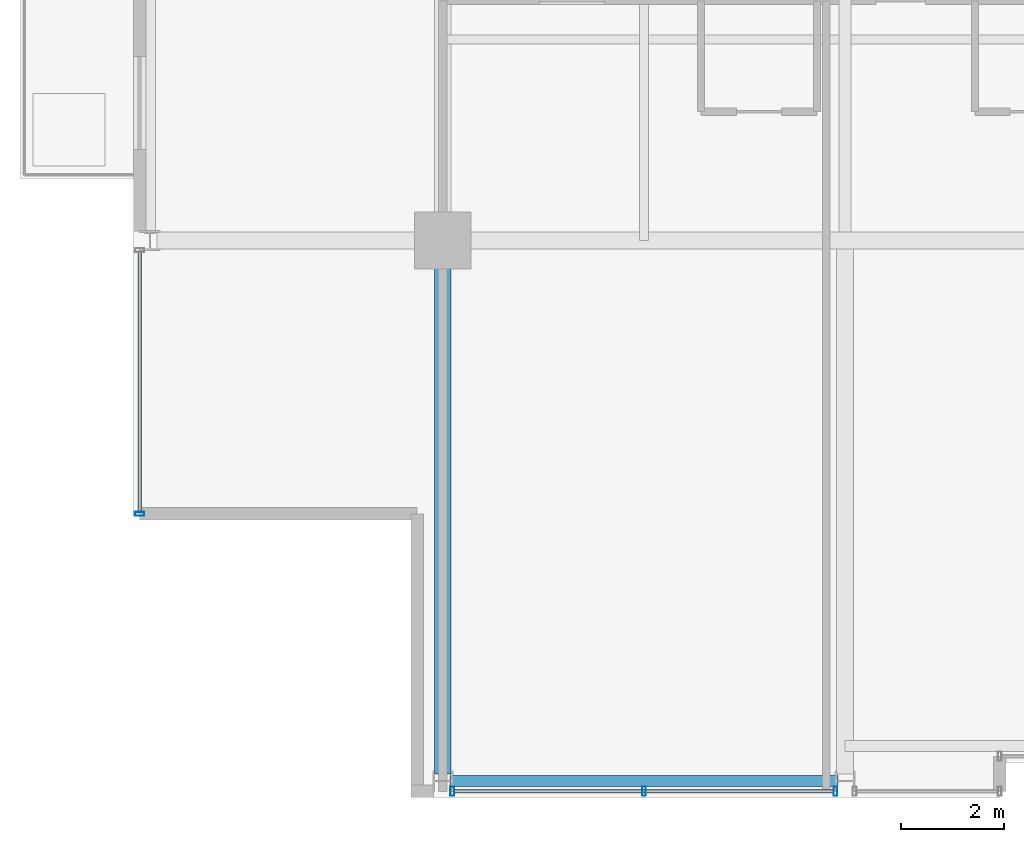
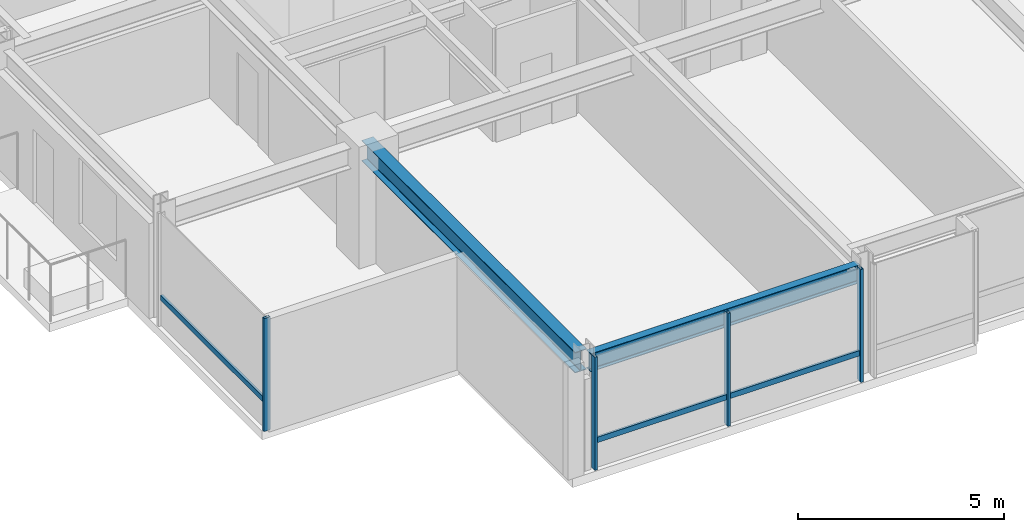
# One storey, part 2 of 32: 6 members, 2 beams, 2 elements without a shape of their own.
"""IFC4 building model written with IfcOpenShell, lengths in metres."""

from ifc_helpers import new_model, si_unit, direction, frame, origin, origin_2d, place, context, subcontext, project, spatial, hollow_rectangle, i_section, extrude, material, layer, layer_set, material_profile, profile_set, type_object, element, aggregate, save


model = new_model("IFC4")

# Units and contexts
model_context = context("Model", 3, precision=1e-05, world=origin(), true_north=direction((0.0, 1.0)))
body_context = subcontext(model_context, "Body", "Model", "MODEL_VIEW")
ifc_project = project(units=[si_unit("LENGTHUNIT", "METRE"), si_unit("AREAUNIT", "SQUARE_METRE"), si_unit("VOLUMEUNIT", "CUBIC_METRE"), si_unit("PLANEANGLEUNIT", "RADIAN"), si_unit("MASSUNIT", "GRAM", prefix="KILO")], contexts=[model_context])

# Site, building, storey
site_placement = place(None, origin())
site = spatial("IfcSite", under=ifc_project, at=site_placement, CompositionType="ELEMENT")
building_placement = place(site_placement, origin())
building = spatial("IfcBuilding", under=site, at=building_placement, Name="Drelvath Grand Hotel", CompositionType="ELEMENT")
storey_placement = place(building_placement, frame((0.0, 0.0, 233.89990234375)))
storey = spatial("IfcBuildingStorey", under=building, at=storey_placement, Name="L61", CompositionType="ELEMENT", Elevation=233.89990234375)

# Curtain wall, member
ifc_material_1 = material(Name="Platinum-Mist Anodised Aluminium Frame", Category="aluminium")
ifc_layer = layer(ifc_material_1, 0.199951171875)
ifc_layer_set = layer_set([ifc_layer], Name="Platinum-Mist Anodised Aluminium Frame")
curtain_wall_type = type_object("IfcCurtainWallType", Name="Stick Curtain Wall CW-05 Platinum Mist High-Rise", PredefinedType="NOTDEFINED", material=ifc_layer_set)
curtain_wall_1_placement = place(storey_placement, origin())
curtain_wall_1 = element("IfcCurtainWall", 1, at=curtain_wall_1_placement, inside=storey, type_object=curtain_wall_type, Name="L61 CW-05 Curtain Wall CW05-L61-WS1", PredefinedType="NOTDEFINED")
ifc_material_profile_1 = material_profile(ifc_material_1, hollow_rectangle(XDim=0.06494140625, YDim=0.159912109375, WallThickness=0.00390625, at=origin_2d()), Name="HSS160X65X4")
ifc_profile_set_1 = profile_set([ifc_material_profile_1], Name="Platinum-Mist Anodised Aluminium Frame")
member_type_1 = type_object("IfcMemberType", Name="Curtain Wall Horizontal Transom CW-05 HSS160X65X4", PredefinedType="USERDEFINED", material=ifc_profile_set_1)
member_1_placement = place(storey_placement, frame((-22.080078125, 5.5400390625, 0.835205078125), z_axis=(0.0, 1.0, 0.0), x_axis=(-1.0, 0.0, 0.0)))
member_1 = element("IfcMember", 2, at=member_1_placement, type_object=member_type_1, Name="CW05-L61-WS1 Sill Transom", ObjectType="TRANSOM", PredefinedType="USERDEFINED", context=body_context, shape_type="SweptSolid", body=[
    extrude(hollow_rectangle(XDim=0.06494140625, YDim=0.159912109375, WallThickness=0.00390625, at=origin_2d()), origin(), (0.0, 0.0, 1.0), 5.03466796875),
])

curtain_wall_2_placement = place(storey_placement, origin())
curtain_wall_2 = element("IfcCurtainWall", 3, at=curtain_wall_2_placement, inside=storey, type_object=curtain_wall_type, Name="L61 CW-05 Curtain Wall CW05-L61-SW2", PredefinedType="NOTDEFINED")
member_2_placement = place(storey_placement, frame((-8.625244140625, 0.1201171875, 0.835205078125), z_axis=(-1.0, 0.0, 0.0), x_axis=(0.0, -1.0, 0.0)))
member_2 = element("IfcMember", 4, at=member_2_placement, type_object=member_type_1, Name="CW05-L61-SW2 Sill Transom", ObjectType="TRANSOM", PredefinedType="USERDEFINED", context=body_context, shape_type="SweptSolid", body=[
    extrude(hollow_rectangle(XDim=0.06494140625, YDim=0.159912109375, WallThickness=0.00390625, at=origin_2d()), origin(), (0.0, 0.0, 1.0), 7.349365234375),
])

# Member
ifc_material_profile_2 = material_profile(ifc_material_1, hollow_rectangle(XDim=0.074951171875, YDim=0.179931640625, WallThickness=0.0048828125, at=origin_2d()), Name="HSS180X75X5")
ifc_profile_set_2 = profile_set([ifc_material_profile_2], Name="Platinum-Mist Anodised Aluminium Frame")
member_type_2 = type_object("IfcMemberType", Name="Curtain Wall Vertical Mullion CW-05 HSS180X75X5", PredefinedType="MULLION", material=ifc_profile_set_2)
member_3_placement = place(storey_placement, frame((-22.080078125, 5.5, 0.0), z_axis=(0.0, 0.0, 1.0), x_axis=(0.0, 1.0, 0.0)))
member_3 = element("IfcMember", 5, at=member_3_placement, type_object=member_type_2, Name="CW05-L61-WS1 Mullion 1", PredefinedType="MULLION", context=body_context, shape_type="SweptSolid", body=[
    extrude(hollow_rectangle(XDim=0.074951171875, YDim=0.179931640625, WallThickness=0.0048828125, at=origin_2d()), origin(), (0.0, 0.0, 1.0), 3.340087890625),
])

aggregate(curtain_wall_1, [member_3, member_1])

member_4_placement = place(storey_placement, frame((-8.585205078125, 0.1201171875, 0.0), z_axis=(0.0, 0.0, 1.0), x_axis=(1.0, 0.0, 0.0)))
member_4 = element("IfcMember", 6, at=member_4_placement, type_object=member_type_2, Name="CW05-L61-SW2 Mullion 1", PredefinedType="MULLION", context=body_context, shape_type="SweptSolid", body=[
    extrude(hollow_rectangle(XDim=0.074951171875, YDim=0.179931640625, WallThickness=0.0048828125, at=origin_2d()), origin(), (0.0, 0.0, 1.0), 3.340087890625),
])

member_5_placement = place(storey_placement, frame((-12.300048828125, 0.1201171875, 0.0), z_axis=(0.0, 0.0, 1.0), x_axis=(1.0, 0.0, 0.0)))
member_5 = element("IfcMember", 7, at=member_5_placement, type_object=member_type_2, Name="CW05-L61-SW2 Mullion 2", PredefinedType="MULLION", context=body_context, shape_type="SweptSolid", body=[
    extrude(hollow_rectangle(XDim=0.074951171875, YDim=0.179931640625, WallThickness=0.0048828125, at=origin_2d()), origin(), (0.0, 0.0, 1.0), 3.340087890625),
])

member_6_placement = place(storey_placement, frame((-16.0146484375, 0.1201171875, 0.0), z_axis=(0.0, 0.0, 1.0), x_axis=(1.0, 0.0, 0.0)))
member_6 = element("IfcMember", 8, at=member_6_placement, type_object=member_type_2, Name="CW05-L61-SW2 Mullion 3", PredefinedType="MULLION", context=body_context, shape_type="SweptSolid", body=[
    extrude(hollow_rectangle(XDim=0.074951171875, YDim=0.179931640625, WallThickness=0.0048828125, at=origin_2d()), origin(), (0.0, 0.0, 1.0), 3.340087890625),
])

aggregate(curtain_wall_2, [member_4, member_5, member_6, member_2])

# Beams
ifc_material_2 = material(Name="Steel ASTM A992 Gr 50", Category="steel")
ifc_material_profile_3 = material_profile(ifc_material_2, i_section(OverallWidth=0.210205078125, OverallDepth=0.53662109375, WebThickness=0.010986328125, FlangeThickness=0.017333984375, FilletRadius=0.01806640625, at=origin_2d()), Name="W21X68")
ifc_profile_set_3 = profile_set([ifc_material_profile_3], Name="Steel ASTM A992 Gr 50")
beam_type_1 = type_object("IfcBeamType", Name="Perimeter Spandrel Beam W21X68", PredefinedType="SPANDREL", material=ifc_profile_set_3)
beam_1_placement = place(storey_placement, frame((-16.06005859375, 0.320068359375, 3.07177734375), z_axis=(1.0, 0.0, 0.0), x_axis=(0.0, 1.0, 0.0)))
element("IfcBeam", 9, at=beam_1_placement, inside=storey, type_object=beam_type_1, Name="L61 Spandrel South W", PredefinedType="SPANDREL", context=body_context, shape_type="SweptSolid", body=[
    extrude(i_section(OverallWidth=0.210205078125, OverallDepth=0.53662109375, WebThickness=0.010986328125, FlangeThickness=0.017333984375, FilletRadius=0.01806640625, at=origin_2d()), origin(), (0.0, 0.0, 1.0), 7.52001953125),
])
ifc_material_profile_4 = material_profile(ifc_material_2, i_section(OverallWidth=0.323974609375, OverallDepth=0.611083984375, WebThickness=0.0126953125, FlangeThickness=0.01904296875, FilletRadius=0.02197265625, at=origin_2d()), Name="W24X104")
ifc_profile_set_4 = profile_set([ifc_material_profile_4], Name="Steel ASTM A992 Gr 50")
beam_type_2 = type_object("IfcBeamType", Name="Primary Floor Girder W24X104", PredefinedType="BEAM", material=ifc_profile_set_4)
beam_2_placement = place(storey_placement, frame((-16.199951171875, 0.4599609375, 3.034423828125), z_axis=(0.0, 1.0, 0.0), x_axis=(-1.0, 0.0, 0.0)))
element("IfcBeam", 10, at=beam_2_placement, inside=storey, type_object=beam_type_2, Name="L61 South Grid Girder 3", PredefinedType="BEAM", context=body_context, shape_type="SweptSolid", body=[
    extrude(i_section(OverallWidth=0.323974609375, OverallDepth=0.611083984375, WebThickness=0.0126953125, FlangeThickness=0.01904296875, FilletRadius=0.02197265625, at=origin_2d()), origin(), (0.0, 0.0, 1.0), 10.340087890625),
])

save(model, "model.ifc")
